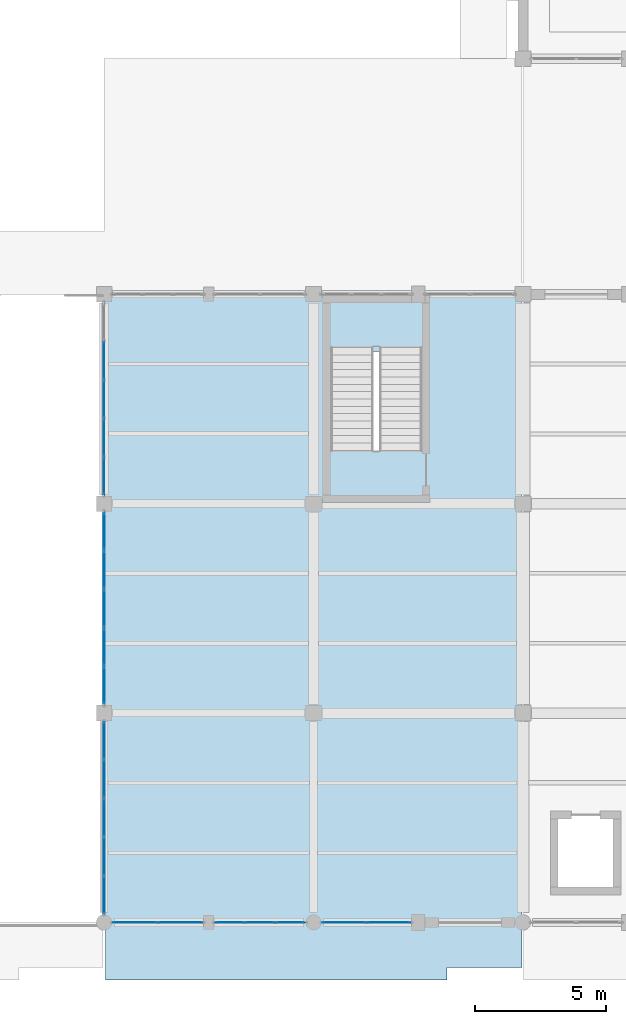
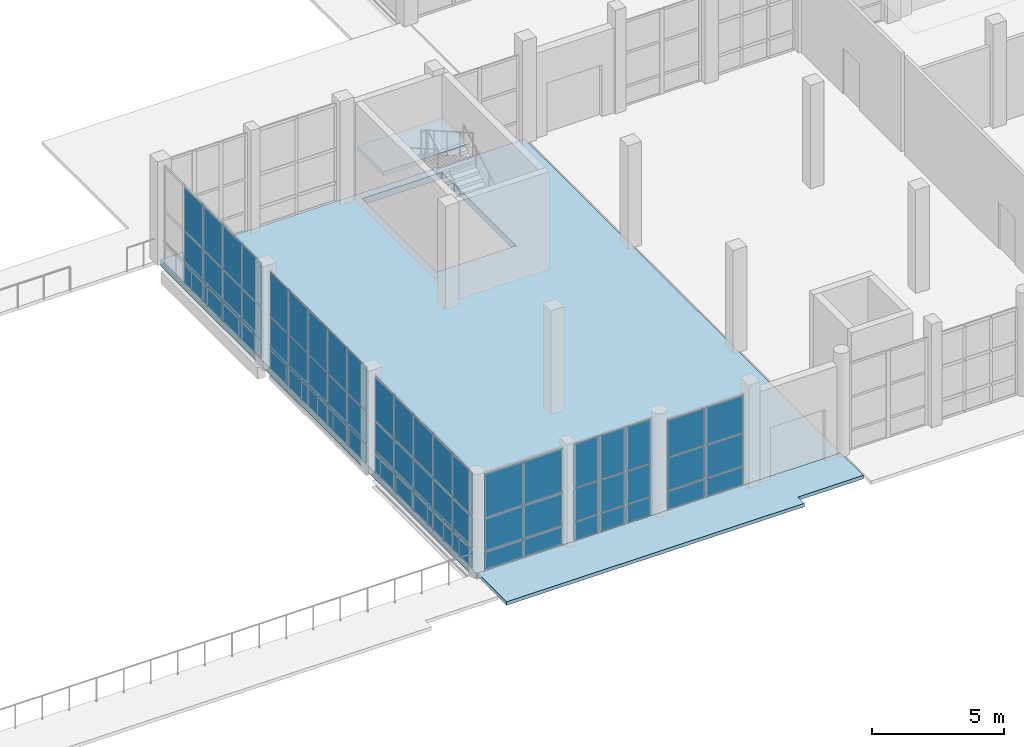
# One storey, part 110 of 156: 63 plates, 3 slabs, 7 elements without a shape of their own.
"""IFC4 building model written with IfcOpenShell, lengths in metres."""

from ifc_helpers import new_model, si_unit, direction, frame, origin, origin_2d, place, context, subcontext, project, spatial, polyline, rectangle, outline, extrude, material, layer, layer_set, type_object, element, aggregate, save


model = new_model("IFC4")

# Units and contexts
model_context = context("Model", 3, precision=1e-05, world=origin(), true_north=direction((0.0, 1.0)))
body_context = subcontext(model_context, "Body", "Model", "MODEL_VIEW")
ifc_project = project(units=[si_unit("LENGTHUNIT", "METRE"), si_unit("AREAUNIT", "SQUARE_METRE"), si_unit("VOLUMEUNIT", "CUBIC_METRE"), si_unit("PLANEANGLEUNIT", "RADIAN"), si_unit("MASSUNIT", "GRAM", prefix="KILO")], contexts=[model_context])

# Site, building, storey
site_placement = place(None, origin())
site = spatial("IfcSite", under=ifc_project, at=site_placement, CompositionType="ELEMENT")
building_placement = place(site_placement, origin())
building = spatial("IfcBuilding", under=site, at=building_placement, Name="Luwemba Playhouse", CompositionType="ELEMENT")
storey_placement = place(building_placement, origin())
storey = spatial("IfcBuildingStorey", under=building, at=storey_placement, Name="L00", CompositionType="ELEMENT", Elevation=0.0)

# Curtain wall, plates
ifc_material_1 = material(Name="Solar-control double glazing", Category="glass")
curtain_wall_type_1 = type_object("IfcCurtainWallType", Name="CW-CW46", PredefinedType="USERDEFINED", material=ifc_material_1)
curtain_wall_1_placement = place(storey_placement, origin())
curtain_wall_1 = element("IfcCurtainWall", 1, at=curtain_wall_1_placement, inside=storey, type_object=curtain_wall_type_1, Name="L00 V5E unitised curtain wall 055", ObjectType="UNITISED GLAZING", PredefinedType="USERDEFINED")
ifc_layer_1 = layer(ifc_material_1, 0.02392578125)
ifc_layer_set_1 = layer_set([ifc_layer_1], Name="Solar-control double glazing")
plate_type_1 = type_object("IfcPlateType", Name="CWP-P1", PredefinedType="CURTAIN_PANEL", material=ifc_layer_set_1)
plate_1_placement = place(storey_placement, frame((116.0, 20.054931640625, 0.06005859375), z_axis=(0.0, 0.0, 1.0), x_axis=(0.0, 1.0, 0.0)))
plate_1 = element("IfcPlate", 2, at=plate_1_placement, type_object=plate_type_1, Name="CW46 panel 1.1", PredefinedType="CURTAIN_PANEL", context=body_context, shape_type="SweptSolid", body=[
    extrude(rectangle(XDim=1.389892578125, YDim=0.02392578125, at=origin_2d()), origin(), (0.0, 0.0, 1.0), 0.81005859375),
])
plate_2_placement = place(storey_placement, frame((116.0, 20.054931640625, 0.93017578125), z_axis=(0.0, 0.0, 1.0), x_axis=(0.0, 1.0, 0.0)))
plate_2 = element("IfcPlate", 3, at=plate_2_placement, type_object=plate_type_1, Name="CW46 panel 1.2", PredefinedType="CURTAIN_PANEL", context=body_context, shape_type="SweptSolid", body=[
    extrude(rectangle(XDim=1.389892578125, YDim=0.02392578125, at=origin_2d()), origin(), (0.0, 0.0, 1.0), 1.489990234375),
])
plate_3_placement = place(storey_placement, frame((116.0, 20.054931640625, 2.47998046875), z_axis=(0.0, 0.0, 1.0), x_axis=(0.0, 1.0, 0.0)))
plate_3 = element("IfcPlate", 4, at=plate_3_placement, type_object=plate_type_1, Name="CW46 panel 1.3", PredefinedType="CURTAIN_PANEL", context=body_context, shape_type="SweptSolid", body=[
    extrude(rectangle(XDim=1.389892578125, YDim=0.02392578125, at=origin_2d()), origin(), (0.0, 0.0, 1.0), 2.010009765625),
])
plate_4_placement = place(storey_placement, frame((116.0, 21.52001953125, 0.06005859375), z_axis=(0.0, 0.0, 1.0), x_axis=(0.0, 1.0, 0.0)))
plate_4 = element("IfcPlate", 5, at=plate_4_placement, type_object=plate_type_1, Name="CW46 panel 2.1", PredefinedType="CURTAIN_PANEL", context=body_context, shape_type="SweptSolid", body=[
    extrude(rectangle(XDim=1.419921875, YDim=0.02392578125, at=origin_2d()), origin(), (0.0, 0.0, 1.0), 0.81005859375),
])
plate_5_placement = place(storey_placement, frame((116.0, 21.52001953125, 0.93017578125), z_axis=(0.0, 0.0, 1.0), x_axis=(0.0, 1.0, 0.0)))
plate_5 = element("IfcPlate", 6, at=plate_5_placement, type_object=plate_type_1, Name="CW46 panel 2.2", PredefinedType="CURTAIN_PANEL", context=body_context, shape_type="SweptSolid", body=[
    extrude(rectangle(XDim=1.419921875, YDim=0.02392578125, at=origin_2d()), origin(), (0.0, 0.0, 1.0), 1.489990234375),
])
plate_6_placement = place(storey_placement, frame((116.0, 21.52001953125, 2.47998046875), z_axis=(0.0, 0.0, 1.0), x_axis=(0.0, 1.0, 0.0)))
plate_6 = element("IfcPlate", 7, at=plate_6_placement, type_object=plate_type_1, Name="CW46 panel 2.3", PredefinedType="CURTAIN_PANEL", context=body_context, shape_type="SweptSolid", body=[
    extrude(rectangle(XDim=1.419921875, YDim=0.02392578125, at=origin_2d()), origin(), (0.0, 0.0, 1.0), 2.010009765625),
])
plate_7_placement = place(storey_placement, frame((116.0, 23.0, 0.06005859375), z_axis=(0.0, 0.0, 1.0), x_axis=(0.0, 1.0, 0.0)))
plate_7 = element("IfcPlate", 8, at=plate_7_placement, type_object=plate_type_1, Name="CW46 panel 3.1", PredefinedType="CURTAIN_PANEL", context=body_context, shape_type="SweptSolid", body=[
    extrude(rectangle(XDim=1.419921875, YDim=0.02392578125, at=origin_2d()), origin(), (0.0, 0.0, 1.0), 0.81005859375),
])
plate_8_placement = place(storey_placement, frame((116.0, 23.0, 0.93017578125), z_axis=(0.0, 0.0, 1.0), x_axis=(0.0, 1.0, 0.0)))
plate_8 = element("IfcPlate", 9, at=plate_8_placement, type_object=plate_type_1, Name="CW46 panel 3.2", PredefinedType="CURTAIN_PANEL", context=body_context, shape_type="SweptSolid", body=[
    extrude(rectangle(XDim=1.419921875, YDim=0.02392578125, at=origin_2d()), origin(), (0.0, 0.0, 1.0), 1.489990234375),
])
plate_9_placement = place(storey_placement, frame((116.0, 23.0, 2.47998046875), z_axis=(0.0, 0.0, 1.0), x_axis=(0.0, 1.0, 0.0)))
plate_9 = element("IfcPlate", 10, at=plate_9_placement, type_object=plate_type_1, Name="CW46 panel 3.3", PredefinedType="CURTAIN_PANEL", context=body_context, shape_type="SweptSolid", body=[
    extrude(rectangle(XDim=1.419921875, YDim=0.02392578125, at=origin_2d()), origin(), (0.0, 0.0, 1.0), 2.010009765625),
])
plate_10_placement = place(storey_placement, frame((116.0, 24.47998046875, 0.06005859375), z_axis=(0.0, 0.0, 1.0), x_axis=(0.0, 1.0, 0.0)))
plate_10 = element("IfcPlate", 11, at=plate_10_placement, type_object=plate_type_1, Name="CW46 panel 4.1", PredefinedType="CURTAIN_PANEL", context=body_context, shape_type="SweptSolid", body=[
    extrude(rectangle(XDim=1.419921875, YDim=0.02392578125, at=origin_2d()), origin(), (0.0, 0.0, 1.0), 0.81005859375),
])
plate_11_placement = place(storey_placement, frame((116.0, 24.47998046875, 0.93017578125), z_axis=(0.0, 0.0, 1.0), x_axis=(0.0, 1.0, 0.0)))
plate_11 = element("IfcPlate", 12, at=plate_11_placement, type_object=plate_type_1, Name="CW46 panel 4.2", PredefinedType="CURTAIN_PANEL", context=body_context, shape_type="SweptSolid", body=[
    extrude(rectangle(XDim=1.419921875, YDim=0.02392578125, at=origin_2d()), origin(), (0.0, 0.0, 1.0), 1.489990234375),
])
plate_12_placement = place(storey_placement, frame((116.0, 24.47998046875, 2.47998046875), z_axis=(0.0, 0.0, 1.0), x_axis=(0.0, 1.0, 0.0)))
plate_12 = element("IfcPlate", 13, at=plate_12_placement, type_object=plate_type_1, Name="CW46 panel 4.3", PredefinedType="CURTAIN_PANEL", context=body_context, shape_type="SweptSolid", body=[
    extrude(rectangle(XDim=1.419921875, YDim=0.02392578125, at=origin_2d()), origin(), (0.0, 0.0, 1.0), 2.010009765625),
])
aggregate(curtain_wall_1, [plate_1, plate_2, plate_3, plate_4, plate_5, plate_6, plate_7, plate_8, plate_9, plate_10, plate_11, plate_12])

curtain_wall_type_2 = type_object("IfcCurtainWallType", Name="CW-CW15", PredefinedType="USERDEFINED", material=ifc_material_1)
curtain_wall_2_placement = place(storey_placement, origin())
curtain_wall_2 = element("IfcCurtainWall", 14, at=curtain_wall_2_placement, inside=storey, type_object=curtain_wall_type_2, Name="L00 V5E unitised curtain wall 079", ObjectType="UNITISED GLAZING", PredefinedType="USERDEFINED")
plate_13_placement = place(storey_placement, frame((126.87255859375, 3.0, 0.06005859375), z_axis=(0.0, 0.0, 1.0), x_axis=(-1.0, 0.0, 0.0)))
plate_13 = element("IfcPlate", 15, at=plate_13_placement, type_object=plate_type_1, Name="CW15 panel 1.1", PredefinedType="CURTAIN_PANEL", context=body_context, shape_type="SweptSolid", body=[
    extrude(rectangle(XDim=1.635009765625, YDim=0.02392578125, at=origin_2d()), origin(), (0.0, 0.0, 1.0), 0.81005859375),
])
plate_14_placement = place(storey_placement, frame((126.87255859375, 3.0, 0.93017578125), z_axis=(0.0, 0.0, 1.0), x_axis=(-1.0, 0.0, 0.0)))
plate_14 = element("IfcPlate", 16, at=plate_14_placement, type_object=plate_type_1, Name="CW15 panel 1.2", PredefinedType="CURTAIN_PANEL", context=body_context, shape_type="SweptSolid", body=[
    extrude(rectangle(XDim=1.635009765625, YDim=0.02392578125, at=origin_2d()), origin(), (0.0, 0.0, 1.0), 1.489990234375),
])
plate_15_placement = place(storey_placement, frame((126.87255859375, 3.0, 2.47998046875), z_axis=(0.0, 0.0, 1.0), x_axis=(-1.0, 0.0, 0.0)))
plate_15 = element("IfcPlate", 17, at=plate_15_placement, type_object=plate_type_1, Name="CW15 panel 1.3", PredefinedType="CURTAIN_PANEL", context=body_context, shape_type="SweptSolid", body=[
    extrude(rectangle(XDim=1.635009765625, YDim=0.02392578125, at=origin_2d()), origin(), (0.0, 0.0, 1.0), 1.695068359375),
])
plate_16_placement = place(storey_placement, frame((125.177490234375, 3.0, 0.06005859375), z_axis=(0.0, 0.0, 1.0), x_axis=(-1.0, 0.0, 0.0)))
plate_16 = element("IfcPlate", 18, at=plate_16_placement, type_object=plate_type_1, Name="CW15 panel 2.1", PredefinedType="CURTAIN_PANEL", context=body_context, shape_type="SweptSolid", body=[
    extrude(rectangle(XDim=1.635009765625, YDim=0.02392578125, at=origin_2d()), origin(), (0.0, 0.0, 1.0), 0.81005859375),
])
plate_17_placement = place(storey_placement, frame((125.177490234375, 3.0, 0.93017578125), z_axis=(0.0, 0.0, 1.0), x_axis=(-1.0, 0.0, 0.0)))
plate_17 = element("IfcPlate", 19, at=plate_17_placement, type_object=plate_type_1, Name="CW15 panel 2.2", PredefinedType="CURTAIN_PANEL", context=body_context, shape_type="SweptSolid", body=[
    extrude(rectangle(XDim=1.635009765625, YDim=0.02392578125, at=origin_2d()), origin(), (0.0, 0.0, 1.0), 1.489990234375),
])
plate_18_placement = place(storey_placement, frame((125.177490234375, 3.0, 2.47998046875), z_axis=(0.0, 0.0, 1.0), x_axis=(-1.0, 0.0, 0.0)))
plate_18 = element("IfcPlate", 20, at=plate_18_placement, type_object=plate_type_1, Name="CW15 panel 2.3", PredefinedType="CURTAIN_PANEL", context=body_context, shape_type="SweptSolid", body=[
    extrude(rectangle(XDim=1.635009765625, YDim=0.02392578125, at=origin_2d()), origin(), (0.0, 0.0, 1.0), 1.695068359375),
])
aggregate(curtain_wall_2, [plate_13, plate_14, plate_15, plate_16, plate_17, plate_18])

curtain_wall_type_3 = type_object("IfcCurtainWallType", Name="CW-CW47", PredefinedType="USERDEFINED", material=ifc_material_1)
curtain_wall_3_placement = place(storey_placement, origin())
curtain_wall_3 = element("IfcCurtainWall", 21, at=curtain_wall_3_placement, inside=storey, type_object=curtain_wall_type_3, Name="L00 V5E unitised curtain wall 080", ObjectType="UNITISED GLAZING", PredefinedType="USERDEFINED")
ifc_layer_2 = layer(ifc_material_1, 0.028076171875)
ifc_layer_set_2 = layer_set([ifc_layer_2], Name="Solar-control double glazing")
plate_type_2 = type_object("IfcPlateType", Name="CWP-P2", PredefinedType="CURTAIN_PANEL", material=ifc_layer_set_2)
plate_19_placement = place(storey_placement, frame((123.100341796875, 3.0, 0.05517578125), z_axis=(0.0, 0.0, 1.0), x_axis=(-1.0, 0.0, 0.0)))
plate_19 = element("IfcPlate", 22, at=plate_19_placement, type_object=plate_type_2, Name="CW47 panel 1.1", PredefinedType="CURTAIN_PANEL", context=body_context, shape_type="SweptSolid", body=[
    extrude(rectangle(XDim=1.069091796875, YDim=0.028076171875, at=origin_2d()), origin(), (0.0, 0.0, 1.0), 0.8173828125),
])
plate_20_placement = place(storey_placement, frame((123.100341796875, 3.0, 0.927490234375), z_axis=(0.0, 0.0, 1.0), x_axis=(-1.0, 0.0, 0.0)))
plate_20 = element("IfcPlate", 23, at=plate_20_placement, type_object=plate_type_2, Name="CW47 panel 1.2", PredefinedType="CURTAIN_PANEL", context=body_context, shape_type="SweptSolid", body=[
    extrude(rectangle(XDim=1.069091796875, YDim=0.028076171875, at=origin_2d()), origin(), (0.0, 0.0, 1.0), 1.4951171875),
])
plate_21_placement = place(storey_placement, frame((123.100341796875, 3.0, 2.4775390625), z_axis=(0.0, 0.0, 1.0), x_axis=(-1.0, 0.0, 0.0)))
plate_21 = element("IfcPlate", 24, at=plate_21_placement, type_object=plate_type_2, Name="CW47 panel 1.3", PredefinedType="CURTAIN_PANEL", context=body_context, shape_type="SweptSolid", body=[
    extrude(rectangle(XDim=1.069091796875, YDim=0.028076171875, at=origin_2d()), origin(), (0.0, 0.0, 1.0), 2.017578125),
])
plate_22_placement = place(storey_placement, frame((121.949951171875, 3.0, 0.05517578125), z_axis=(0.0, 0.0, 1.0), x_axis=(-1.0, 0.0, 0.0)))
plate_22 = element("IfcPlate", 25, at=plate_22_placement, type_object=plate_type_2, Name="CW47 panel 2.1", PredefinedType="CURTAIN_PANEL", context=body_context, shape_type="SweptSolid", body=[
    extrude(rectangle(XDim=1.1015625, YDim=0.028076171875, at=origin_2d()), origin(), (0.0, 0.0, 1.0), 0.8173828125),
])
plate_23_placement = place(storey_placement, frame((121.949951171875, 3.0, 0.927490234375), z_axis=(0.0, 0.0, 1.0), x_axis=(-1.0, 0.0, 0.0)))
plate_23 = element("IfcPlate", 26, at=plate_23_placement, type_object=plate_type_2, Name="CW47 panel 2.2", PredefinedType="CURTAIN_PANEL", context=body_context, shape_type="SweptSolid", body=[
    extrude(rectangle(XDim=1.1015625, YDim=0.028076171875, at=origin_2d()), origin(), (0.0, 0.0, 1.0), 1.4951171875),
])
plate_24_placement = place(storey_placement, frame((121.949951171875, 3.0, 2.4775390625), z_axis=(0.0, 0.0, 1.0), x_axis=(-1.0, 0.0, 0.0)))
plate_24 = element("IfcPlate", 27, at=plate_24_placement, type_object=plate_type_2, Name="CW47 panel 2.3", PredefinedType="CURTAIN_PANEL", context=body_context, shape_type="SweptSolid", body=[
    extrude(rectangle(XDim=1.1015625, YDim=0.028076171875, at=origin_2d()), origin(), (0.0, 0.0, 1.0), 2.017578125),
])
plate_25_placement = place(storey_placement, frame((120.799560546875, 3.0, 0.05517578125), z_axis=(0.0, 0.0, 1.0), x_axis=(-1.0, 0.0, 0.0)))
plate_25 = element("IfcPlate", 28, at=plate_25_placement, type_object=plate_type_2, Name="CW47 panel 3.1", PredefinedType="CURTAIN_PANEL", context=body_context, shape_type="SweptSolid", body=[
    extrude(rectangle(XDim=1.069091796875, YDim=0.028076171875, at=origin_2d()), origin(), (0.0, 0.0, 1.0), 0.8173828125),
])
plate_26_placement = place(storey_placement, frame((120.799560546875, 3.0, 0.927490234375), z_axis=(0.0, 0.0, 1.0), x_axis=(-1.0, 0.0, 0.0)))
plate_26 = element("IfcPlate", 29, at=plate_26_placement, type_object=plate_type_2, Name="CW47 panel 3.2", PredefinedType="CURTAIN_PANEL", context=body_context, shape_type="SweptSolid", body=[
    extrude(rectangle(XDim=1.069091796875, YDim=0.028076171875, at=origin_2d()), origin(), (0.0, 0.0, 1.0), 1.4951171875),
])
plate_27_placement = place(storey_placement, frame((120.799560546875, 3.0, 2.4775390625), z_axis=(0.0, 0.0, 1.0), x_axis=(-1.0, 0.0, 0.0)))
plate_27 = element("IfcPlate", 30, at=plate_27_placement, type_object=plate_type_2, Name="CW47 panel 3.3", PredefinedType="CURTAIN_PANEL", context=body_context, shape_type="SweptSolid", body=[
    extrude(rectangle(XDim=1.069091796875, YDim=0.028076171875, at=origin_2d()), origin(), (0.0, 0.0, 1.0), 2.017578125),
])
aggregate(curtain_wall_3, [plate_19, plate_20, plate_21, plate_22, plate_23, plate_24, plate_25, plate_26, plate_27])

curtain_wall_type_4 = type_object("IfcCurtainWallType", Name="CW-CW44", PredefinedType="USERDEFINED", material=ifc_material_1)
curtain_wall_4_placement = place(storey_placement, origin())
curtain_wall_4 = element("IfcCurtainWall", 31, at=curtain_wall_4_placement, inside=storey, type_object=curtain_wall_type_4, Name="L00 V5E unitised curtain wall 053", ObjectType="UNITISED GLAZING", PredefinedType="USERDEFINED")
ifc_layer_3 = layer(ifc_material_1, 0.031982421875)
ifc_layer_set_3 = layer_set([ifc_layer_3], Name="Solar-control double glazing")
plate_type_3 = type_object("IfcPlateType", Name="CWP-P3", PredefinedType="CURTAIN_PANEL", material=ifc_layer_set_3)
plate_28_placement = place(storey_placement, frame((116.0, 4.0537109375, 0.06494140625), z_axis=(0.0, 0.0, 1.0), x_axis=(0.0, 1.0, 0.0)))
plate_28 = element("IfcPlate", 32, at=plate_28_placement, type_object=plate_type_3, Name="CW44 panel 1.1", PredefinedType="CURTAIN_PANEL", context=body_context, shape_type="SweptSolid", body=[
    extrude(rectangle(XDim=1.3974609375, YDim=0.031982421875, at=origin_2d()), origin(), (0.0, 0.0, 1.0), 0.802490234375),
])
plate_29_placement = place(storey_placement, frame((116.0, 4.0537109375, 0.9326171875), z_axis=(0.0, 0.0, 1.0), x_axis=(0.0, 1.0, 0.0)))
plate_29 = element("IfcPlate", 33, at=plate_29_placement, type_object=plate_type_3, Name="CW44 panel 1.2", PredefinedType="CURTAIN_PANEL", context=body_context, shape_type="SweptSolid", body=[
    extrude(rectangle(XDim=1.3974609375, YDim=0.031982421875, at=origin_2d()), origin(), (0.0, 0.0, 1.0), 1.485107421875),
])
plate_30_placement = place(storey_placement, frame((116.0, 4.0537109375, 2.482421875), z_axis=(0.0, 0.0, 1.0), x_axis=(0.0, 1.0, 0.0)))
plate_30 = element("IfcPlate", 34, at=plate_30_placement, type_object=plate_type_3, Name="CW44 panel 1.3", PredefinedType="CURTAIN_PANEL", context=body_context, shape_type="SweptSolid", body=[
    extrude(rectangle(XDim=1.3974609375, YDim=0.031982421875, at=origin_2d()), origin(), (0.0, 0.0, 1.0), 2.00244140625),
])
plate_31_placement = place(storey_placement, frame((116.0, 5.52001953125, 0.06494140625), z_axis=(0.0, 0.0, 1.0), x_axis=(0.0, 1.0, 0.0)))
plate_31 = element("IfcPlate", 35, at=plate_31_placement, type_object=plate_type_3, Name="CW44 panel 2.1", PredefinedType="CURTAIN_PANEL", context=body_context, shape_type="SweptSolid", body=[
    extrude(rectangle(XDim=1.425048828125, YDim=0.031982421875, at=origin_2d()), origin(), (0.0, 0.0, 1.0), 0.802490234375),
])
plate_32_placement = place(storey_placement, frame((116.0, 5.52001953125, 0.9326171875), z_axis=(0.0, 0.0, 1.0), x_axis=(0.0, 1.0, 0.0)))
plate_32 = element("IfcPlate", 36, at=plate_32_placement, type_object=plate_type_3, Name="CW44 panel 2.2", PredefinedType="CURTAIN_PANEL", context=body_context, shape_type="SweptSolid", body=[
    extrude(rectangle(XDim=1.425048828125, YDim=0.031982421875, at=origin_2d()), origin(), (0.0, 0.0, 1.0), 1.485107421875),
])
plate_33_placement = place(storey_placement, frame((116.0, 5.52001953125, 2.482421875), z_axis=(0.0, 0.0, 1.0), x_axis=(0.0, 1.0, 0.0)))
plate_33 = element("IfcPlate", 37, at=plate_33_placement, type_object=plate_type_3, Name="CW44 panel 2.3", PredefinedType="CURTAIN_PANEL", context=body_context, shape_type="SweptSolid", body=[
    extrude(rectangle(XDim=1.425048828125, YDim=0.031982421875, at=origin_2d()), origin(), (0.0, 0.0, 1.0), 2.00244140625),
])
plate_34_placement = place(storey_placement, frame((116.0, 7.0, 0.06494140625), z_axis=(0.0, 0.0, 1.0), x_axis=(0.0, 1.0, 0.0)))
plate_34 = element("IfcPlate", 38, at=plate_34_placement, type_object=plate_type_3, Name="CW44 panel 3.1", PredefinedType="CURTAIN_PANEL", context=body_context, shape_type="SweptSolid", body=[
    extrude(rectangle(XDim=1.425048828125, YDim=0.031982421875, at=origin_2d()), origin(), (0.0, 0.0, 1.0), 0.802490234375),
])
plate_35_placement = place(storey_placement, frame((116.0, 7.0, 0.9326171875), z_axis=(0.0, 0.0, 1.0), x_axis=(0.0, 1.0, 0.0)))
plate_35 = element("IfcPlate", 39, at=plate_35_placement, type_object=plate_type_3, Name="CW44 panel 3.2", PredefinedType="CURTAIN_PANEL", context=body_context, shape_type="SweptSolid", body=[
    extrude(rectangle(XDim=1.425048828125, YDim=0.031982421875, at=origin_2d()), origin(), (0.0, 0.0, 1.0), 1.485107421875),
])
plate_36_placement = place(storey_placement, frame((116.0, 7.0, 2.482421875), z_axis=(0.0, 0.0, 1.0), x_axis=(0.0, 1.0, 0.0)))
plate_36 = element("IfcPlate", 40, at=plate_36_placement, type_object=plate_type_3, Name="CW44 panel 3.3", PredefinedType="CURTAIN_PANEL", context=body_context, shape_type="SweptSolid", body=[
    extrude(rectangle(XDim=1.425048828125, YDim=0.031982421875, at=origin_2d()), origin(), (0.0, 0.0, 1.0), 2.00244140625),
])
plate_37_placement = place(storey_placement, frame((116.0, 8.47998046875, 0.06494140625), z_axis=(0.0, 0.0, 1.0), x_axis=(0.0, 1.0, 0.0)))
plate_37 = element("IfcPlate", 41, at=plate_37_placement, type_object=plate_type_3, Name="CW44 panel 4.1", PredefinedType="CURTAIN_PANEL", context=body_context, shape_type="SweptSolid", body=[
    extrude(rectangle(XDim=1.425048828125, YDim=0.031982421875, at=origin_2d()), origin(), (0.0, 0.0, 1.0), 0.802490234375),
])
plate_38_placement = place(storey_placement, frame((116.0, 8.47998046875, 0.9326171875), z_axis=(0.0, 0.0, 1.0), x_axis=(0.0, 1.0, 0.0)))
plate_38 = element("IfcPlate", 42, at=plate_38_placement, type_object=plate_type_3, Name="CW44 panel 4.2", PredefinedType="CURTAIN_PANEL", context=body_context, shape_type="SweptSolid", body=[
    extrude(rectangle(XDim=1.425048828125, YDim=0.031982421875, at=origin_2d()), origin(), (0.0, 0.0, 1.0), 1.485107421875),
])
plate_39_placement = place(storey_placement, frame((116.0, 8.47998046875, 2.482421875), z_axis=(0.0, 0.0, 1.0), x_axis=(0.0, 1.0, 0.0)))
plate_39 = element("IfcPlate", 43, at=plate_39_placement, type_object=plate_type_3, Name="CW44 panel 4.3", PredefinedType="CURTAIN_PANEL", context=body_context, shape_type="SweptSolid", body=[
    extrude(rectangle(XDim=1.425048828125, YDim=0.031982421875, at=origin_2d()), origin(), (0.0, 0.0, 1.0), 2.00244140625),
])
plate_40_placement = place(storey_placement, frame((116.0, 9.9462890625, 0.06494140625), z_axis=(0.0, 0.0, 1.0), x_axis=(0.0, 1.0, 0.0)))
plate_40 = element("IfcPlate", 44, at=plate_40_placement, type_object=plate_type_3, Name="CW44 panel 5.1", PredefinedType="CURTAIN_PANEL", context=body_context, shape_type="SweptSolid", body=[
    extrude(rectangle(XDim=1.3974609375, YDim=0.031982421875, at=origin_2d()), origin(), (0.0, 0.0, 1.0), 0.802490234375),
])
plate_41_placement = place(storey_placement, frame((116.0, 9.9462890625, 0.9326171875), z_axis=(0.0, 0.0, 1.0), x_axis=(0.0, 1.0, 0.0)))
plate_41 = element("IfcPlate", 45, at=plate_41_placement, type_object=plate_type_3, Name="CW44 panel 5.2", PredefinedType="CURTAIN_PANEL", context=body_context, shape_type="SweptSolid", body=[
    extrude(rectangle(XDim=1.3974609375, YDim=0.031982421875, at=origin_2d()), origin(), (0.0, 0.0, 1.0), 1.485107421875),
])
plate_42_placement = place(storey_placement, frame((116.0, 9.9462890625, 2.482421875), z_axis=(0.0, 0.0, 1.0), x_axis=(0.0, 1.0, 0.0)))
plate_42 = element("IfcPlate", 46, at=plate_42_placement, type_object=plate_type_3, Name="CW44 panel 5.3", PredefinedType="CURTAIN_PANEL", context=body_context, shape_type="SweptSolid", body=[
    extrude(rectangle(XDim=1.3974609375, YDim=0.031982421875, at=origin_2d()), origin(), (0.0, 0.0, 1.0), 2.00244140625),
])
aggregate(curtain_wall_4, [plate_28, plate_29, plate_30, plate_31, plate_32, plate_33, plate_34, plate_35, plate_36, plate_37, plate_38, plate_39, plate_40, plate_41, plate_42])

curtain_wall_type_5 = type_object("IfcCurtainWallType", Name="CW-CW48", PredefinedType="USERDEFINED", material=ifc_material_1)
curtain_wall_5_placement = place(storey_placement, origin())
curtain_wall_5 = element("IfcCurtainWall", 47, at=curtain_wall_5_placement, inside=storey, type_object=curtain_wall_type_5, Name="L00 V5E unitised curtain wall 081", ObjectType="UNITISED GLAZING", PredefinedType="USERDEFINED")
plate_43_placement = place(storey_placement, frame((118.9111328125, 3.0, 0.06494140625), z_axis=(0.0, 0.0, 1.0), x_axis=(-1.0, 0.0, 0.0)))
plate_43 = element("IfcPlate", 48, at=plate_43_placement, type_object=plate_type_3, Name="CW48 panel 1.1", PredefinedType="CURTAIN_PANEL", context=body_context, shape_type="SweptSolid", body=[
    extrude(rectangle(XDim=1.66748046875, YDim=0.031982421875, at=origin_2d()), origin(), (0.0, 0.0, 1.0), 0.802490234375),
])
plate_44_placement = place(storey_placement, frame((118.9111328125, 3.0, 0.9326171875), z_axis=(0.0, 0.0, 1.0), x_axis=(-1.0, 0.0, 0.0)))
plate_44 = element("IfcPlate", 49, at=plate_44_placement, type_object=plate_type_3, Name="CW48 panel 1.2", PredefinedType="CURTAIN_PANEL", context=body_context, shape_type="SweptSolid", body=[
    extrude(rectangle(XDim=1.66748046875, YDim=0.031982421875, at=origin_2d()), origin(), (0.0, 0.0, 1.0), 1.485107421875),
])
plate_45_placement = place(storey_placement, frame((118.9111328125, 3.0, 2.482421875), z_axis=(0.0, 0.0, 1.0), x_axis=(-1.0, 0.0, 0.0)))
plate_45 = element("IfcPlate", 50, at=plate_45_placement, type_object=plate_type_3, Name="CW48 panel 1.3", PredefinedType="CURTAIN_PANEL", context=body_context, shape_type="SweptSolid", body=[
    extrude(rectangle(XDim=1.66748046875, YDim=0.031982421875, at=origin_2d()), origin(), (0.0, 0.0, 1.0), 2.00244140625),
])
plate_46_placement = place(storey_placement, frame((117.188720703125, 3.0, 0.06494140625), z_axis=(0.0, 0.0, 1.0), x_axis=(-1.0, 0.0, 0.0)))
plate_46 = element("IfcPlate", 51, at=plate_46_placement, type_object=plate_type_3, Name="CW48 panel 2.1", PredefinedType="CURTAIN_PANEL", context=body_context, shape_type="SweptSolid", body=[
    extrude(rectangle(XDim=1.66748046875, YDim=0.031982421875, at=origin_2d()), origin(), (0.0, 0.0, 1.0), 0.802490234375),
])
plate_47_placement = place(storey_placement, frame((117.188720703125, 3.0, 0.9326171875), z_axis=(0.0, 0.0, 1.0), x_axis=(-1.0, 0.0, 0.0)))
plate_47 = element("IfcPlate", 52, at=plate_47_placement, type_object=plate_type_3, Name="CW48 panel 2.2", PredefinedType="CURTAIN_PANEL", context=body_context, shape_type="SweptSolid", body=[
    extrude(rectangle(XDim=1.66748046875, YDim=0.031982421875, at=origin_2d()), origin(), (0.0, 0.0, 1.0), 1.485107421875),
])
plate_48_placement = place(storey_placement, frame((117.188720703125, 3.0, 2.482421875), z_axis=(0.0, 0.0, 1.0), x_axis=(-1.0, 0.0, 0.0)))
plate_48 = element("IfcPlate", 53, at=plate_48_placement, type_object=plate_type_3, Name="CW48 panel 2.3", PredefinedType="CURTAIN_PANEL", context=body_context, shape_type="SweptSolid", body=[
    extrude(rectangle(XDim=1.66748046875, YDim=0.031982421875, at=origin_2d()), origin(), (0.0, 0.0, 1.0), 2.00244140625),
])
aggregate(curtain_wall_5, [plate_43, plate_44, plate_45, plate_46, plate_47, plate_48])

curtain_wall_type_6 = type_object("IfcCurtainWallType", Name="CW-CW45", PredefinedType="USERDEFINED", material=ifc_material_1)
curtain_wall_6_placement = place(storey_placement, origin())
curtain_wall_6 = element("IfcCurtainWall", 54, at=curtain_wall_6_placement, inside=storey, type_object=curtain_wall_type_6, Name="L00 V5E unitised curtain wall 054", ObjectType="UNITISED GLAZING", PredefinedType="USERDEFINED")
ifc_layer_4 = layer(ifc_material_1, 0.035888671875)
ifc_layer_set_4 = layer_set([ifc_layer_4], Name="Solar-control double glazing")
plate_type_4 = type_object("IfcPlateType", Name="CWP-P4", PredefinedType="CURTAIN_PANEL", material=ifc_layer_set_4)
plate_49_placement = place(storey_placement, frame((116.0, 12.0576171875, 0.0498046875), z_axis=(0.0, 0.0, 1.0), x_axis=(0.0, 1.0, 0.0)))
plate_49 = element("IfcPlate", 55, at=plate_49_placement, type_object=plate_type_4, Name="CW45 panel 1.1", PredefinedType="CURTAIN_PANEL", context=body_context, shape_type="SweptSolid", body=[
    extrude(rectangle(XDim=1.375, YDim=0.035888671875, at=origin_2d()), origin(), (0.0, 0.0, 1.0), 0.824951171875),
])
plate_50_placement = place(storey_placement, frame((116.0, 12.0576171875, 0.925048828125), z_axis=(0.0, 0.0, 1.0), x_axis=(0.0, 1.0, 0.0)))
plate_50 = element("IfcPlate", 56, at=plate_50_placement, type_object=plate_type_4, Name="CW45 panel 1.2", PredefinedType="CURTAIN_PANEL", context=body_context, shape_type="SweptSolid", body=[
    extrude(rectangle(XDim=1.375, YDim=0.035888671875, at=origin_2d()), origin(), (0.0, 0.0, 1.0), 1.5),
])
plate_51_placement = place(storey_placement, frame((116.0, 12.0576171875, 2.47509765625), z_axis=(0.0, 0.0, 1.0), x_axis=(0.0, 1.0, 0.0)))
plate_51 = element("IfcPlate", 57, at=plate_51_placement, type_object=plate_type_4, Name="CW45 panel 1.3", PredefinedType="CURTAIN_PANEL", context=body_context, shape_type="SweptSolid", body=[
    extrude(rectangle(XDim=1.375, YDim=0.035888671875, at=origin_2d()), origin(), (0.0, 0.0, 1.0), 2.02490234375),
])
plate_52_placement = place(storey_placement, frame((116.0, 13.52001953125, 0.0498046875), z_axis=(0.0, 0.0, 1.0), x_axis=(0.0, 1.0, 0.0)))
plate_52 = element("IfcPlate", 58, at=plate_52_placement, type_object=plate_type_4, Name="CW45 panel 2.1", PredefinedType="CURTAIN_PANEL", context=body_context, shape_type="SweptSolid", body=[
    extrude(rectangle(XDim=1.409912109375, YDim=0.035888671875, at=origin_2d()), origin(), (0.0, 0.0, 1.0), 0.824951171875),
])
plate_53_placement = place(storey_placement, frame((116.0, 13.52001953125, 0.925048828125), z_axis=(0.0, 0.0, 1.0), x_axis=(0.0, 1.0, 0.0)))
plate_53 = element("IfcPlate", 59, at=plate_53_placement, type_object=plate_type_4, Name="CW45 panel 2.2", PredefinedType="CURTAIN_PANEL", context=body_context, shape_type="SweptSolid", body=[
    extrude(rectangle(XDim=1.409912109375, YDim=0.035888671875, at=origin_2d()), origin(), (0.0, 0.0, 1.0), 1.5),
])
plate_54_placement = place(storey_placement, frame((116.0, 13.52001953125, 2.47509765625), z_axis=(0.0, 0.0, 1.0), x_axis=(0.0, 1.0, 0.0)))
plate_54 = element("IfcPlate", 60, at=plate_54_placement, type_object=plate_type_4, Name="CW45 panel 2.3", PredefinedType="CURTAIN_PANEL", context=body_context, shape_type="SweptSolid", body=[
    extrude(rectangle(XDim=1.409912109375, YDim=0.035888671875, at=origin_2d()), origin(), (0.0, 0.0, 1.0), 2.02490234375),
])
plate_55_placement = place(storey_placement, frame((116.0, 15.0, 0.0498046875), z_axis=(0.0, 0.0, 1.0), x_axis=(0.0, 1.0, 0.0)))
plate_55 = element("IfcPlate", 61, at=plate_55_placement, type_object=plate_type_4, Name="CW45 panel 3.1", PredefinedType="CURTAIN_PANEL", context=body_context, shape_type="SweptSolid", body=[
    extrude(rectangle(XDim=1.409912109375, YDim=0.035888671875, at=origin_2d()), origin(), (0.0, 0.0, 1.0), 0.824951171875),
])
plate_56_placement = place(storey_placement, frame((116.0, 15.0, 0.925048828125), z_axis=(0.0, 0.0, 1.0), x_axis=(0.0, 1.0, 0.0)))
plate_56 = element("IfcPlate", 62, at=plate_56_placement, type_object=plate_type_4, Name="CW45 panel 3.2", PredefinedType="CURTAIN_PANEL", context=body_context, shape_type="SweptSolid", body=[
    extrude(rectangle(XDim=1.409912109375, YDim=0.035888671875, at=origin_2d()), origin(), (0.0, 0.0, 1.0), 1.5),
])
plate_57_placement = place(storey_placement, frame((116.0, 15.0, 2.47509765625), z_axis=(0.0, 0.0, 1.0), x_axis=(0.0, 1.0, 0.0)))
plate_57 = element("IfcPlate", 63, at=plate_57_placement, type_object=plate_type_4, Name="CW45 panel 3.3", PredefinedType="CURTAIN_PANEL", context=body_context, shape_type="SweptSolid", body=[
    extrude(rectangle(XDim=1.409912109375, YDim=0.035888671875, at=origin_2d()), origin(), (0.0, 0.0, 1.0), 2.02490234375),
])
plate_58_placement = place(storey_placement, frame((116.0, 16.47998046875, 0.0498046875), z_axis=(0.0, 0.0, 1.0), x_axis=(0.0, 1.0, 0.0)))
plate_58 = element("IfcPlate", 64, at=plate_58_placement, type_object=plate_type_4, Name="CW45 panel 4.1", PredefinedType="CURTAIN_PANEL", context=body_context, shape_type="SweptSolid", body=[
    extrude(rectangle(XDim=1.409912109375, YDim=0.035888671875, at=origin_2d()), origin(), (0.0, 0.0, 1.0), 0.824951171875),
])
plate_59_placement = place(storey_placement, frame((116.0, 16.47998046875, 0.925048828125), z_axis=(0.0, 0.0, 1.0), x_axis=(0.0, 1.0, 0.0)))
plate_59 = element("IfcPlate", 65, at=plate_59_placement, type_object=plate_type_4, Name="CW45 panel 4.2", PredefinedType="CURTAIN_PANEL", context=body_context, shape_type="SweptSolid", body=[
    extrude(rectangle(XDim=1.409912109375, YDim=0.035888671875, at=origin_2d()), origin(), (0.0, 0.0, 1.0), 1.5),
])
plate_60_placement = place(storey_placement, frame((116.0, 16.47998046875, 2.47509765625), z_axis=(0.0, 0.0, 1.0), x_axis=(0.0, 1.0, 0.0)))
plate_60 = element("IfcPlate", 66, at=plate_60_placement, type_object=plate_type_4, Name="CW45 panel 4.3", PredefinedType="CURTAIN_PANEL", context=body_context, shape_type="SweptSolid", body=[
    extrude(rectangle(XDim=1.409912109375, YDim=0.035888671875, at=origin_2d()), origin(), (0.0, 0.0, 1.0), 2.02490234375),
])
plate_61_placement = place(storey_placement, frame((116.0, 17.9423828125, 0.0498046875), z_axis=(0.0, 0.0, 1.0), x_axis=(0.0, 1.0, 0.0)))
plate_61 = element("IfcPlate", 67, at=plate_61_placement, type_object=plate_type_4, Name="CW45 panel 5.1", PredefinedType="CURTAIN_PANEL", context=body_context, shape_type="SweptSolid", body=[
    extrude(rectangle(XDim=1.375, YDim=0.035888671875, at=origin_2d()), origin(), (0.0, 0.0, 1.0), 0.824951171875),
])
plate_62_placement = place(storey_placement, frame((116.0, 17.9423828125, 0.925048828125), z_axis=(0.0, 0.0, 1.0), x_axis=(0.0, 1.0, 0.0)))
plate_62 = element("IfcPlate", 68, at=plate_62_placement, type_object=plate_type_4, Name="CW45 panel 5.2", PredefinedType="CURTAIN_PANEL", context=body_context, shape_type="SweptSolid", body=[
    extrude(rectangle(XDim=1.375, YDim=0.035888671875, at=origin_2d()), origin(), (0.0, 0.0, 1.0), 1.5),
])
plate_63_placement = place(storey_placement, frame((116.0, 17.9423828125, 2.47509765625), z_axis=(0.0, 0.0, 1.0), x_axis=(0.0, 1.0, 0.0)))
plate_63 = element("IfcPlate", 69, at=plate_63_placement, type_object=plate_type_4, Name="CW45 panel 5.3", PredefinedType="CURTAIN_PANEL", context=body_context, shape_type="SweptSolid", body=[
    extrude(rectangle(XDim=1.375, YDim=0.035888671875, at=origin_2d()), origin(), (0.0, 0.0, 1.0), 2.02490234375),
])
aggregate(curtain_wall_6, [plate_49, plate_50, plate_51, plate_52, plate_53, plate_54, plate_55, plate_56, plate_57, plate_58, plate_59, plate_60, plate_61, plate_62, plate_63])

# Slab
ifc_material_2 = material(Name="Concrete C40/50", Category="concrete")
ifc_layer_5 = layer(ifc_material_2, 0.300048828125)
ifc_layer_set_5 = layer_set([ifc_layer_5], Name="Concrete C40/50")
slab_type_1 = type_object("IfcSlabType", Name="SLB-HVY-300", PredefinedType="FLOOR", material=ifc_layer_set_5)
slab_1_placement = place(storey_placement, frame((0.0, 0.0, -0.300048828125)))
element("IfcSlab", 70, at=slab_1_placement, inside=storey, type_object=slab_type_1, Name="L00 V5E structural floor slab-MJ", PredefinedType="FLOOR", context=body_context, shape_type="SweptSolid", body=[
    extrude(outline(polyline([(131.969970703125, 27.0), (131.969970703125, 3.0), (116.0, 3.0), (116.0, 27.0), (131.969970703125, 27.0)]), holes=[polyline([(128.14990234375, 21.0400390625), (128.14990234375, 26.659912109375), (124.64990234375, 26.659912109375), (124.64990234375, 21.0400390625), (128.14990234375, 21.0400390625)])]), origin(), (0.0, 0.0, 1.0), 0.300048828125),
])

# Stair, slab
stair_type = type_object("IfcStairType", Name="STR-DL-03", PredefinedType="HALF_TURN_STAIR", material=ifc_material_2)
stair_placement = place(storey_placement, origin())
stair = element("IfcStair", 71, at=stair_placement, inside=storey, type_object=stair_type, Name="L00 Civic Cafe North-West Escape Stair", PredefinedType="HALF_TURN_STAIR")
ifc_layer_6 = layer(ifc_material_2, 0.215087890625)
ifc_layer_set_6 = layer_set([ifc_layer_6], Name="Concrete C40/50")
slab_type_2 = type_object("IfcSlabType", Name="SLB-LND-215", PredefinedType="LANDING", material=ifc_layer_set_6)
slab_2_placement = place(storey_placement, frame((0.0, 0.0, 2.199951171875)))
slab_2 = element("IfcSlab", 72, at=slab_2_placement, type_object=slab_type_2, Name="ST-14 landing 1", PredefinedType="LANDING", context=body_context, shape_type="SweptSolid", body=[
    extrude(outline(polyline([(128.2900390625, 24.820068359375), (124.510009765625, 24.820068359375), (124.510009765625, 26.800048828125), (128.2900390625, 26.800048828125), (128.2900390625, 24.820068359375)])), origin(), (0.0, 0.0, 1.0), 0.199951171875),
])
aggregate(stair, [slab_2])

# Slab
ifc_material_3 = material(Name="Concrete C32/40", Category="concrete")
ifc_layer_7 = layer(ifc_material_3, 0.159912109375)
ifc_layer_set_7 = layer_set([ifc_layer_7], Name="Concrete C32/40")
slab_type_3 = type_object("IfcSlabType", Name="SLB-PAV-160", PredefinedType="USERDEFINED", material=ifc_layer_set_7)
slab_3_placement = place(storey_placement, frame((0.0, 0.0, -0.159912109375)))
element("IfcSlab", 73, at=slab_3_placement, inside=storey, type_object=slab_type_3, Name="L00 external civic plaza paving PAV-SE-W", ObjectType="PAVING", PredefinedType="USERDEFINED", context=body_context, shape_type="SweptSolid", body=[
    extrude(outline(polyline([(116.050048828125, 0.800048828125), (129.10009765625, 0.800048828125), (129.10009765625, 1.280029296875), (131.969970703125, 1.280029296875), (131.969970703125, 3.0), (116.050048828125, 3.0), (116.050048828125, 0.800048828125)])), origin(), (0.0, 0.0, 1.0), 0.159912109375),
])

save(model, "model.ifc")
